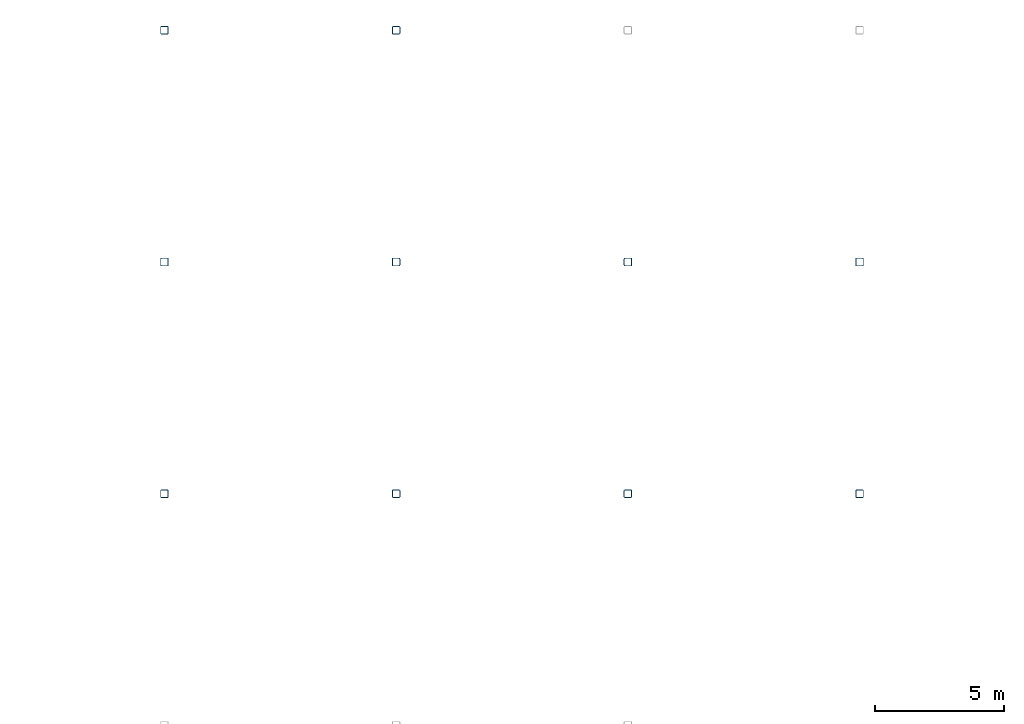
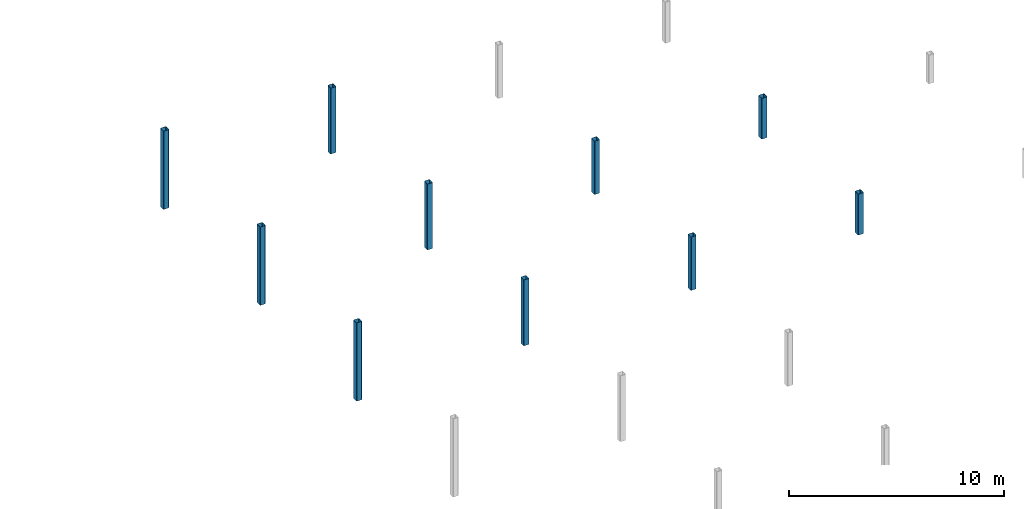
# One storey, part 9 of 15: 10 columns.
"""IFC4 building model written with IfcOpenShell, lengths in metres."""

from ifc_helpers import new_model, si_unit, direction, frame, origin, origin_2d, place, context, subcontext, project, spatial, hollow_rectangle, extrude, material, material_profile, profile_set, type_object, element, save


model = new_model("IFC4")

# Units and contexts
model_context = context("Model", 3, precision=1e-05, world=origin(), true_north=direction((0.0, 1.0)))
body_context = subcontext(model_context, "Body", "Model", "MODEL_VIEW")
ifc_project = project(units=[si_unit("LENGTHUNIT", "METRE"), si_unit("AREAUNIT", "SQUARE_METRE"), si_unit("VOLUMEUNIT", "CUBIC_METRE"), si_unit("PLANEANGLEUNIT", "RADIAN"), si_unit("MASSUNIT", "GRAM", prefix="KILO")], contexts=[model_context])

# Site, building, storey
site_placement = place(None, origin())
site = spatial("IfcSite", under=ifc_project, at=site_placement, CompositionType="ELEMENT")
building_placement = place(site_placement, origin())
building = spatial("IfcBuilding", under=site, at=building_placement, Name="Opaline Strait Convention Centre", CompositionType="ELEMENT")
storey_placement = place(building_placement, frame((0.0, 0.0, 20.10009765625)))
storey = spatial("IfcBuildingStorey", under=building, at=storey_placement, Name="Roof Restaurants and Business Centre", CompositionType="ELEMENT", Elevation=20.10009765625)

# Columns
ifc_material = material(Name="Steel Q355B", Category="steel")
ifc_material_profile = material_profile(ifc_material, hollow_rectangle(XDim=0.300048828125, YDim=0.300048828125, WallThickness=0.011962890625, InnerFilletRadius=0.02392578125, OuterFilletRadius=0.035888671875, at=origin_2d()), Name="RHS 300x300x12")
ifc_profile_set = profile_set([ifc_material_profile], Name="Steel Q355B")
column_type = type_object("IfcColumnType", Name="Roof post RHS 300x300x12", PredefinedType="COLUMN", material=ifc_profile_set)
for number, where, z_axis, x_axis, name in (
    (1, (279.0, 162.0, 0.0), (0.0, 0.0, 1.0), (1.0, 0.0, 0.0), "MRS1 roof post at 32/U above Roof Restaurants and Business Centre"),
    (2, (279.0, 171.0, 0.0), (0.0, 0.0, 1.0), (1.0, 0.0, 0.0), "MRS1 roof post at 32/V above Roof Restaurants and Business Centre"),
    (3, (279.0, 180.0, 0.0), (0.0, 0.0, 1.0), (1.0, 0.0, 0.0), "MRS1 roof post at 32/W above Roof Restaurants and Business Centre"),
):
    element("IfcColumn", number, at=place(storey_placement, frame(where, z_axis=z_axis, x_axis=x_axis)), inside=storey, type_object=column_type, Name=name, PredefinedType="COLUMN", context=body_context, shape_type="SweptSolid", body=[
        extrude(hollow_rectangle(XDim=0.300048828125, YDim=0.300048828125, WallThickness=0.011962890625, InnerFilletRadius=0.02392578125, OuterFilletRadius=0.035888671875, at=origin_2d()), origin(), (0.0, 0.0, 1.0), 4.453369140625),
    ])
for number, where, z_axis, x_axis, name in (
    (4, (288.0, 162.0, 0.0), (0.0, 0.0, 1.0), (1.0, 0.0, 0.0), "MRS1 roof post at 33/U above Roof Restaurants and Business Centre"),
    (5, (288.0, 171.0, 0.0), (0.0, 0.0, 1.0), (1.0, 0.0, 0.0), "MRS1 roof post at 33/V above Roof Restaurants and Business Centre"),
    (6, (288.0, 180.0, 0.0), (0.0, 0.0, 1.0), (1.0, 0.0, 0.0), "MRS1 roof post at 33/W above Roof Restaurants and Business Centre"),
):
    element("IfcColumn", number, at=place(storey_placement, frame(where, z_axis=z_axis, x_axis=x_axis)), inside=storey, type_object=column_type, Name=name, PredefinedType="COLUMN", context=body_context, shape_type="SweptSolid", body=[
        extrude(hollow_rectangle(XDim=0.300048828125, YDim=0.300048828125, WallThickness=0.011962890625, InnerFilletRadius=0.02392578125, OuterFilletRadius=0.035888671875, at=origin_2d()), origin(), (0.0, 0.0, 1.0), 3.7451171875),
    ])
for number, where, z_axis, x_axis, name in (
    (7, (297.0, 162.0, 0.0), (0.0, 0.0, 1.0), (1.0, 0.0, 0.0), "MRS1 roof post at 34/U above Roof Restaurants and Business Centre"),
    (8, (297.0, 171.0, 0.0), (0.0, 0.0, 1.0), (1.0, 0.0, 0.0), "MRS1 roof post at 34/V above Roof Restaurants and Business Centre"),
):
    element("IfcColumn", number, at=place(storey_placement, frame(where, z_axis=z_axis, x_axis=x_axis)), inside=storey, type_object=column_type, Name=name, PredefinedType="COLUMN", context=body_context, shape_type="SweptSolid", body=[
        extrude(hollow_rectangle(XDim=0.300048828125, YDim=0.300048828125, WallThickness=0.011962890625, InnerFilletRadius=0.02392578125, OuterFilletRadius=0.035888671875, at=origin_2d()), origin(), (0.0, 0.0, 1.0), 3.036865234375),
    ])
for number, where, z_axis, x_axis, name in (
    (9, (306.0, 162.0, 0.0), (0.0, 0.0, 1.0), (1.0, 0.0, 0.0), "MRS1 roof post at 35/U above Roof Restaurants and Business Centre"),
    (10, (306.0, 171.0, 0.0), (0.0, 0.0, 1.0), (1.0, 0.0, 0.0), "MRS1 roof post at 35/V above Roof Restaurants and Business Centre"),
):
    element("IfcColumn", number, at=place(storey_placement, frame(where, z_axis=z_axis, x_axis=x_axis)), inside=storey, type_object=column_type, Name=name, PredefinedType="COLUMN", context=body_context, shape_type="SweptSolid", body=[
        extrude(hollow_rectangle(XDim=0.300048828125, YDim=0.300048828125, WallThickness=0.011962890625, InnerFilletRadius=0.02392578125, OuterFilletRadius=0.035888671875, at=origin_2d()), origin(), (0.0, 0.0, 1.0), 2.32861328125),
    ])

save(model, "model.ifc")
